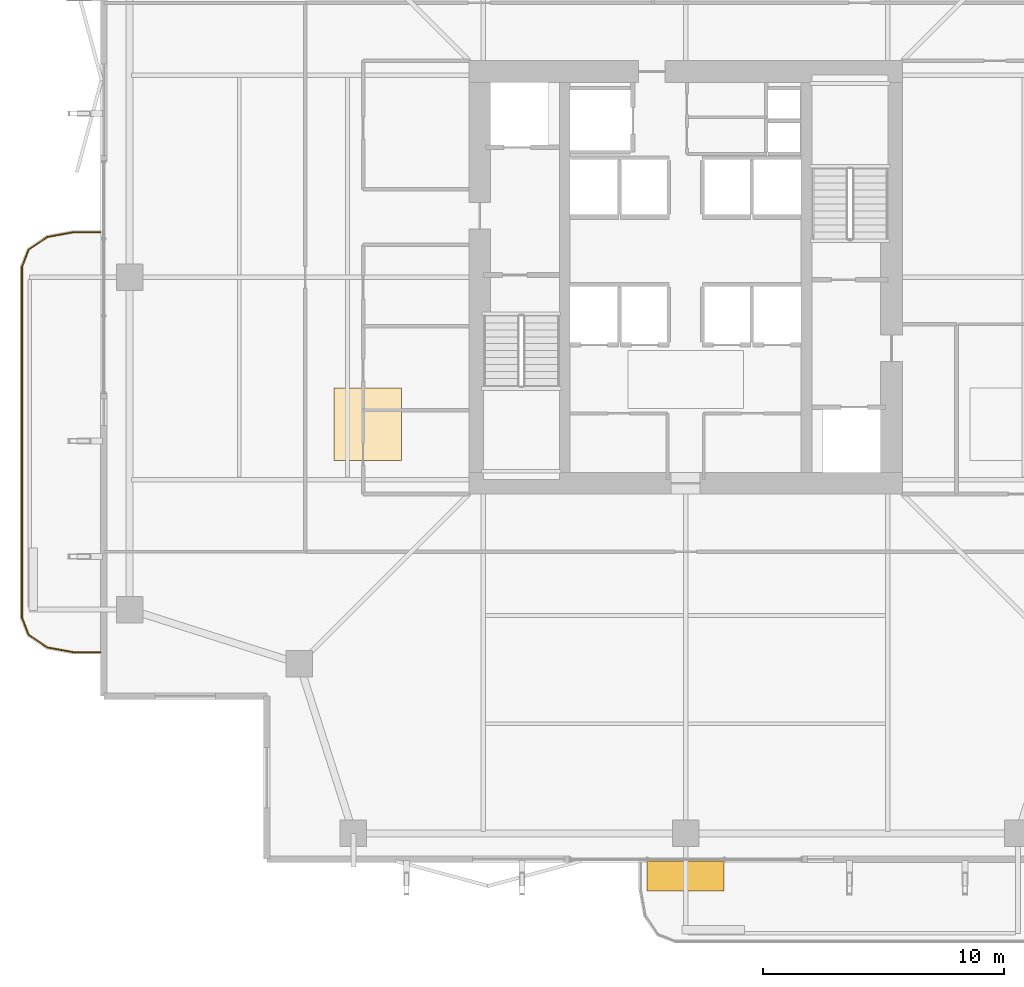
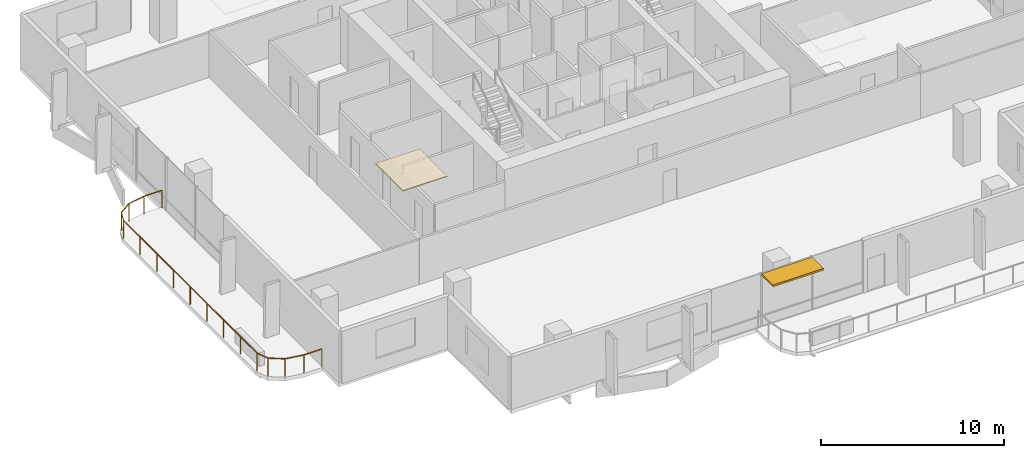
# One storey, part 22 of 25: 1 covering, 1 railing, 1 shading device.
"""IFC4 building model written with IfcOpenShell, lengths in metres."""

from ifc_helpers import new_model, si_unit, direction, frame, origin, origin_2d, place, context, subcontext, project, spatial, polyline, rectangle, outline, extrude, material, layer, layer_set, type_object, element, save


model = new_model("IFC4")

# Units and contexts
model_context = context("Model", 3, precision=1e-05, world=origin(), true_north=direction((0.0, 1.0)))
body_context = subcontext(model_context, "Body", "Model", "MODEL_VIEW")
ifc_project = project(units=[si_unit("LENGTHUNIT", "METRE"), si_unit("AREAUNIT", "SQUARE_METRE"), si_unit("VOLUMEUNIT", "CUBIC_METRE"), si_unit("PLANEANGLEUNIT", "RADIAN"), si_unit("MASSUNIT", "GRAM", prefix="KILO")], contexts=[model_context])

# Site, building, storey
site_placement = place(None, origin())
site = spatial("IfcSite", under=ifc_project, at=site_placement, CompositionType="ELEMENT")
building_placement = place(site_placement, origin())
building = spatial("IfcBuilding", under=site, at=building_placement, Name="Belovzor Exchange Tower", CompositionType="ELEMENT")
storey_placement = place(building_placement, frame((0.0, 0.0, 175.800048828125)))
storey = spatial("IfcBuildingStorey", under=building, at=storey_placement, Name="L43", CompositionType="ELEMENT", Elevation=175.800048828125)

# Railing
ifc_material_1 = material(Name="Stainless Steel and Laminated Safety Glass", Category="steel")
railing_type = type_object("IfcRailingType", Name="Laminated Glass & Stainless Steel Balcony Balustrade 1200", PredefinedType="BALUSTRADE", material=ifc_material_1)
railing_placement = place(storey_placement, frame((4.489990234375, 30.669921875, 0.0)))
element("IfcRailing", 1, at=railing_placement, inside=storey, type_object=railing_type, Name="GR-1 Balcony Balustrade L43 West", PredefinedType="BALUSTRADE", context=body_context, shape_type="SweptSolid", body=[
    extrude(rectangle(XDim=0.048095703125, YDim=0.048095703125, at=origin_2d()), frame((0.0, 0.0, 1.17578125), z_axis=(-1.0, 0.0, 0.0), x_axis=(0.0, -1.0, 0.0)), (0.0, 0.0, 1.0), 1.133056640625),
    extrude(rectangle(XDim=0.048095703125, YDim=0.048095703125, at=origin_2d()), frame((-1.133056640625, 0.0, 1.17578125), z_axis=(-0.983644145941, -0.180122719713, 0.0), x_axis=(0.180122719713, -0.983644145941, 0.0)), (0.0, 0.0, 1.0), 1.09375),
    extrude(rectangle(XDim=0.048095703125, YDim=0.048095703125, at=origin_2d()), frame((-2.208984375, -0.197021484375, 1.17578125), z_axis=(-0.826614792125, -0.562768145367, 0.0), x_axis=(0.562768145367, -0.826614792125, 0.0)), (0.0, 0.0, 1.0), 0.9326171875),
    extrude(rectangle(XDim=0.048095703125, YDim=0.048095703125, at=origin_2d()), frame((-2.97998046875, -0.721923828125, 1.17578125), z_axis=(-0.365612923861, -0.930766990125, 0.0), x_axis=(0.930766990125, -0.365612923861, 0.0)), (0.0, 0.0, 1.0), 0.765869140625),
    extrude(rectangle(XDim=0.048095703125, YDim=0.048095703125, at=origin_2d()), frame((-3.260009765625, -1.434814453125, 1.17578125), z_axis=(0.0, -1.0, 0.0), x_axis=(1.0, 0.0, 0.0)), (0.0, 0.0, 1.0), 14.570068359375),
    extrude(rectangle(XDim=0.048095703125, YDim=0.048095703125, at=origin_2d()), frame((-3.260009765625, -16.0048828125, 1.17578125), z_axis=(0.365504480807, -0.930809580156, 0.0), x_axis=(0.930809580156, 0.365504480807, 0.0)), (0.0, 0.0, 1.0), 0.76611328125),
    extrude(rectangle(XDim=0.048095703125, YDim=0.048095703125, at=origin_2d()), frame((-2.97998046875, -16.718017578125, 1.17578125), z_axis=(0.826614792125, -0.562768145367, 0.0), x_axis=(0.562768145367, 0.826614792125, 0.0)), (0.0, 0.0, 1.0), 0.9326171875),
    extrude(rectangle(XDim=0.048095703125, YDim=0.048095703125, at=origin_2d()), frame((-2.208984375, -17.242919921875, 1.17578125), z_axis=(0.983644145941, -0.180122719713, 0.0), x_axis=(0.180122719713, 0.983644145941, 0.0)), (0.0, 0.0, 1.0), 1.09375),
    extrude(rectangle(XDim=0.048095703125, YDim=0.048095703125, at=origin_2d()), frame((-1.133056640625, -17.43994140625, 1.17578125), z_axis=(1.0, 0.0, 0.0), x_axis=(0.0, 1.0, 0.0)), (0.0, 0.0, 1.0), 1.133056640625),
    extrude(rectangle(XDim=0.0419921875, YDim=0.0419921875, at=origin_2d()), origin(), (0.0, 0.0, 1.0), 1.15185546875),
    extrude(rectangle(XDim=0.0419921875, YDim=0.0419921875, at=origin_2d()), frame((-1.133056640625, 0.0, 0.0)), (0.0, 0.0, 1.0), 1.15185546875),
    extrude(rectangle(XDim=0.0419921875, YDim=0.0419921875, at=origin_2d()), frame((-2.208984375, -0.197021484375, 0.0)), (0.0, 0.0, 1.0), 1.15185546875),
    extrude(rectangle(XDim=0.0419921875, YDim=0.0419921875, at=origin_2d()), frame((-2.97998046875, -0.721923828125, 0.0)), (0.0, 0.0, 1.0), 1.15185546875),
    extrude(rectangle(XDim=0.0419921875, YDim=0.0419921875, at=origin_2d()), frame((-3.260009765625, -1.434814453125, 0.0)), (0.0, 0.0, 1.0), 1.15185546875),
    extrude(rectangle(XDim=0.0419921875, YDim=0.0419921875, at=origin_2d()), frame((-3.260009765625, -3.256103515625, 0.0)), (0.0, 0.0, 1.0), 1.15185546875),
    extrude(rectangle(XDim=0.0419921875, YDim=0.0419921875, at=origin_2d()), frame((-3.260009765625, -5.077392578125, 0.0)), (0.0, 0.0, 1.0), 1.15185546875),
    extrude(rectangle(XDim=0.0419921875, YDim=0.0419921875, at=origin_2d()), frame((-3.260009765625, -6.898681640625, 0.0)), (0.0, 0.0, 1.0), 1.15185546875),
    extrude(rectangle(XDim=0.0419921875, YDim=0.0419921875, at=origin_2d()), frame((-3.260009765625, -8.7197265625, 0.0)), (0.0, 0.0, 1.0), 1.15185546875),
    extrude(rectangle(XDim=0.0419921875, YDim=0.0419921875, at=origin_2d()), frame((-3.260009765625, -10.541015625, 0.0)), (0.0, 0.0, 1.0), 1.15185546875),
    extrude(rectangle(XDim=0.0419921875, YDim=0.0419921875, at=origin_2d()), frame((-3.260009765625, -12.3623046875, 0.0)), (0.0, 0.0, 1.0), 1.15185546875),
    extrude(rectangle(XDim=0.0419921875, YDim=0.0419921875, at=origin_2d()), frame((-3.260009765625, -14.18359375, 0.0)), (0.0, 0.0, 1.0), 1.15185546875),
    extrude(rectangle(XDim=0.0419921875, YDim=0.0419921875, at=origin_2d()), frame((-3.260009765625, -16.0048828125, 0.0)), (0.0, 0.0, 1.0), 1.15185546875),
    extrude(rectangle(XDim=0.0419921875, YDim=0.0419921875, at=origin_2d()), frame((-2.97998046875, -16.718017578125, 0.0)), (0.0, 0.0, 1.0), 1.15185546875),
    extrude(rectangle(XDim=0.0419921875, YDim=0.0419921875, at=origin_2d()), frame((-2.208984375, -17.242919921875, 0.0)), (0.0, 0.0, 1.0), 1.15185546875),
    extrude(rectangle(XDim=0.0419921875, YDim=0.0419921875, at=origin_2d()), frame((-1.133056640625, -17.43994140625, 0.0)), (0.0, 0.0, 1.0), 1.15185546875),
    extrude(rectangle(XDim=0.0419921875, YDim=0.0419921875, at=origin_2d()), frame((0.0, -17.43994140625, 0.0)), (0.0, 0.0, 1.0), 1.15185546875),
])

# Covering
ifc_material_2 = material(Name="Perforated Powder-Coated Aluminium", Category="aluminium")
ifc_layer_1 = layer(ifc_material_2, 0.06005859375)
ifc_layer_set_1 = layer_set([ifc_layer_1], Name="Perforated Powder-Coated Aluminium")
covering_type = type_object("IfcCoveringType", Name="Perforated Acoustic Metal Tile Suspended Ceiling 60", PredefinedType="CEILING", material=ifc_layer_set_1)
covering_placement = place(storey_placement, frame((0.0, 0.0, 3.43505859375)))
element("IfcCovering", 2, at=covering_placement, inside=storey, type_object=covering_type, Name="CLG-AC60 Suspended Ceiling CLG-L43-Z3", PredefinedType="CEILING", context=body_context, shape_type="SweptSolid", body=[
    extrude(outline(polyline([(14.199951171875, 21.199951171875), (17.0, 21.199951171875), (17.0, 24.199951171875), (14.199951171875, 24.199951171875), (14.199951171875, 21.199951171875)])), origin(), (0.0, 0.0, 1.0), 0.059814453125),
])

# Shading device
ifc_material_3 = material(Name="Extruded Architectural Terracotta", Category="masonry")
ifc_layer_2 = layer(ifc_material_3, 0.1201171875)
ifc_layer_set_2 = layer_set([ifc_layer_2], Name="Extruded Architectural Terracotta")
shading_device_type = type_object("IfcShadingDeviceType", Name="Streamline Terracotta Horizontal Sunshade Hood 1250", PredefinedType="AWNING", material=ifc_layer_set_2)
shading_device_placement = place(storey_placement, frame((28.800048828125, 3.93505859375, 3.375), z_axis=(0.0, 0.0, 1.0), x_axis=(1.0, 0.0, 0.0)))
element("IfcShadingDevice", 3, at=shading_device_placement, inside=storey, type_object=shading_device_type, Name="SHD-TC125 Terracotta Sunshade L43 S", PredefinedType="AWNING", context=body_context, shape_type="SweptSolid", body=[
    extrude(rectangle(XDim=3.199951171875, YDim=1.25, at=origin_2d()), origin(), (0.0, 0.0, 1.0), 0.1201171875),
])

save(model, "model.ifc")
